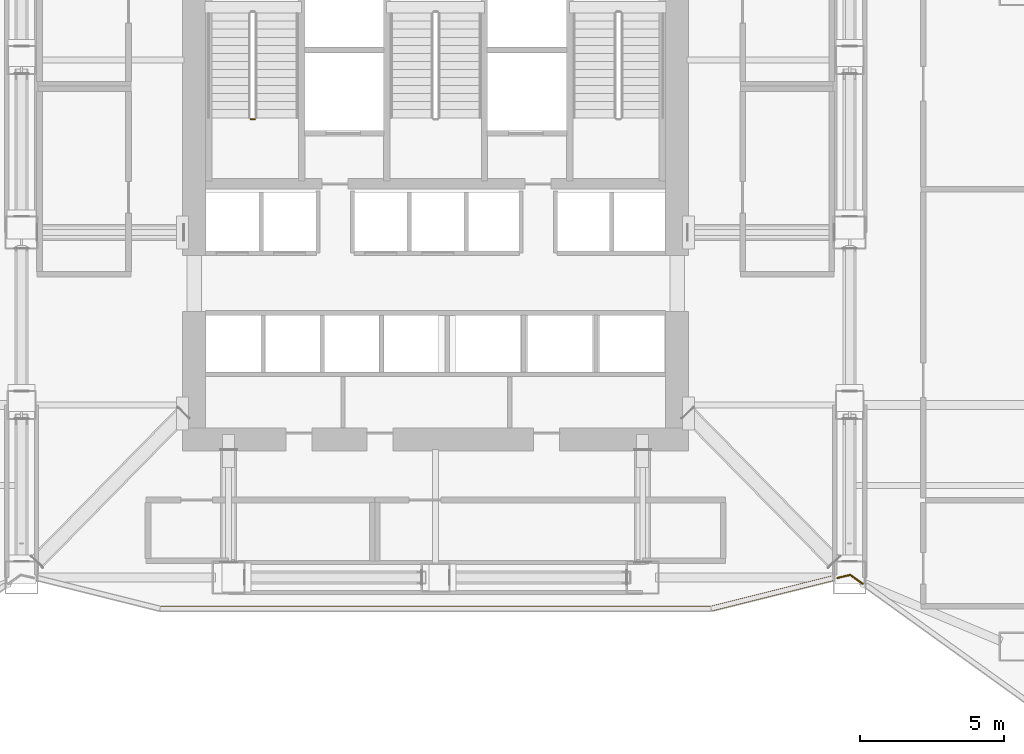
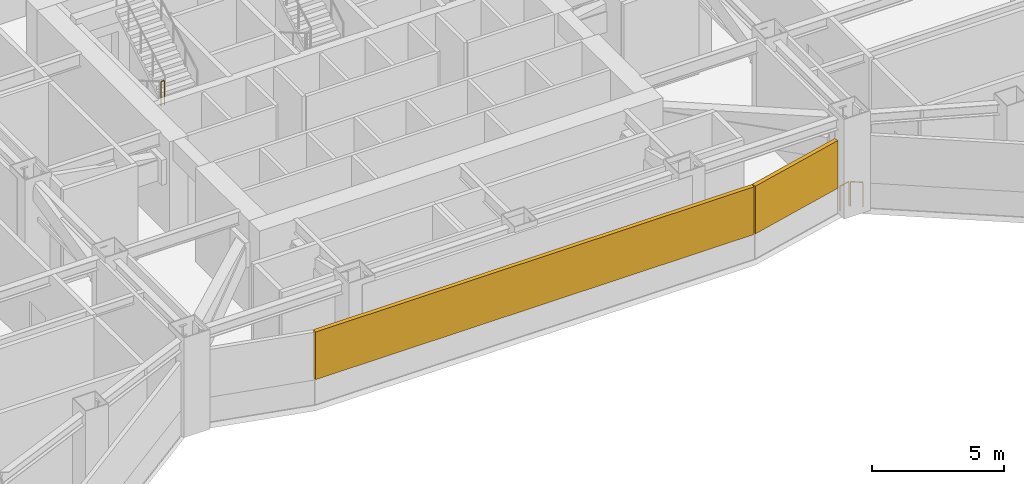
# One storey, part 18 of 23: 3 railings, 2 shading devices.
"""IFC4 building model written with IfcOpenShell, lengths in metres."""

import ifcopenshell
import ifcopenshell.guid

model = None  # the IFC model being written
_history = None  # IfcOwnerHistory: only IFC2X3 demands one
_inside = {}  # id of a spatial element -> (the spatial element, [elements in it])
_under = {}  # id of a project, library or spatial element -> (it, [spatial elements below it])
_declared = {}  # id of a project -> (the project, [libraries it declares])
_typed = {}  # id of a type object -> (the type object, [elements of that type])
_made_of = {}  # id of a material, layer set ... -> (it, [elements and type objects made of it])


def new_model(schema):
    """Start an empty IFC model of exactly this schema.

    Asked for "IFC4X3", IfcOpenShell would pick the latest addendum, in which some entities
    have other attributes; the version numbers below select the first issue.
    IFC2X3 requires an IfcOwnerHistory on every rooted entity: one is made here for all.
    """
    global model, _history
    if schema == "IFC4X3":
        model = ifcopenshell.file(schema_version=(4, 3, 0, 0))
    else:
        model = ifcopenshell.file(schema=schema)
    _inside.clear()
    _under.clear()
    _declared.clear()
    _typed.clear()
    _made_of.clear()
    _history = None
    if model.schema == "IFC2X3":
        org = make("IfcOrganization", Name="unknown")
        user = make(
            "IfcPersonAndOrganization",
            ThePerson=make("IfcPerson", FamilyName="unknown"),
            TheOrganization=org,
        )
        app = make(
            "IfcApplication",
            ApplicationDeveloper=org,
            Version="unknown",
            ApplicationFullName="unknown",
            ApplicationIdentifier="unknown",
        )
        _history = make(
            "IfcOwnerHistory",
            OwningUser=user,
            OwningApplication=app,
            ChangeAction="ADDED",
            CreationDate=0,
        )
    return model


def make(cls, **values):
    """One entity of the class cls with the attributes given. An attribute that is None is left unset."""
    return model.create_entity(
        cls, **{name: value for name, value in values.items() if value is not None}
    )


def rooted(cls, **values):
    """An entity with a GlobalId (a new one), such as an element, a storey or a relation."""
    return make(cls, GlobalId=ifcopenshell.guid.new(), OwnerHistory=_history, **values)


def si_unit(unit_type, name, prefix=None):
    """IfcSIUnit, for example si_unit("LENGTHUNIT", "METRE", prefix="MILLI")."""
    return make("IfcSIUnit", UnitType=unit_type, Prefix=prefix, Name=name)


def assignment(units):
    """IfcUnitAssignment: the units of a project."""
    return None if units is None else make("IfcUnitAssignment", Units=units)


def point(xyz):
    """IfcCartesianPoint."""
    return None if xyz is None else make("IfcCartesianPoint", Coordinates=xyz)


def direction(xyz):
    """IfcDirection."""
    return None if xyz is None else make("IfcDirection", DirectionRatios=xyz)


def frame(location, z_axis=None, x_axis=None):
    """IfcAxis2Placement3D, a coordinate frame: its origin and axes. An axis left out is left unset."""
    return make(
        "IfcAxis2Placement3D",
        Location=point(location),
        Axis=direction(z_axis),
        RefDirection=direction(x_axis),
    )


def frame_2d(location, x_axis=None):
    """IfcAxis2Placement2D, a coordinate frame in the plane: its origin and x axis."""
    return make(
        "IfcAxis2Placement2D", Location=point(location), RefDirection=direction(x_axis)
    )


def origin():
    """The frame at (0, 0, 0) with its axes left unset."""
    return frame((0.0, 0.0, 0.0))


def origin_2d():
    """The frame at (0, 0) in the plane with its x axis left unset."""
    return frame_2d((0.0, 0.0))


def place(relative_to, where):
    """IfcLocalPlacement: puts the frame where relative to a parent placement (None: the world)."""
    return make(
        "IfcLocalPlacement", PlacementRelTo=relative_to, RelativePlacement=where
    )


def context(
    kind, dimensions, precision=None, world=None, true_north=None, identifier=None
):
    """IfcGeometricRepresentationContext, for example the 3D "Model" context."""
    return make(
        "IfcGeometricRepresentationContext",
        ContextIdentifier=identifier,
        ContextType=kind,
        CoordinateSpaceDimension=dimensions,
        Precision=precision,
        WorldCoordinateSystem=world,
        TrueNorth=true_north,
    )


def subcontext(parent, identifier, kind, view, scale=None):
    """IfcGeometricRepresentationSubContext, for example "Body" below "Model"."""
    return make(
        "IfcGeometricRepresentationSubContext",
        ContextIdentifier=identifier,
        ContextType=kind,
        ParentContext=parent,
        TargetScale=scale,
        TargetView=view,
    )


def project(units=None, contexts=None):
    """IfcProject with its units and contexts."""
    return rooted(
        "IfcProject",
        Name="project",
        RepresentationContexts=contexts,
        UnitsInContext=assignment(units),
    )


def spatial(cls, under=None, at=None, **own):
    """A site, building, storey or space (cls), placed at a placement, below another one or the project."""
    s = rooted(cls, ObjectPlacement=at, **own)
    if under is not None:
        _under.setdefault(under.id(), (under, []))[1].append(s)
    return s


def profile(cls, at=None, kind="AREA", **sizes):
    """A parametric profile (cls). Its sizes go by their IFC names, for example OverallWidth=200.0."""
    return make(cls, ProfileType=kind, Position=at, **sizes)


def rectangle(**sizes):
    """IfcRectangleProfileDef."""
    return profile("IfcRectangleProfileDef", **sizes)


def circle(**sizes):
    """IfcCircleProfileDef."""
    return profile("IfcCircleProfileDef", **sizes)


def extrude(swept, where, along, depth):
    """IfcExtrudedAreaSolid: the profile swept, set in the frame where, extruded along a direction by depth."""
    return make(
        "IfcExtrudedAreaSolid",
        SweptArea=swept,
        Position=where,
        ExtrudedDirection=direction(along),
        Depth=depth,
    )


def shape(context_of_items, identifier, shape_type, items):
    """IfcShapeRepresentation: the items that make up one representation, for example the "Body"."""
    return make(
        "IfcShapeRepresentation",
        ContextOfItems=context_of_items,
        RepresentationIdentifier=identifier,
        RepresentationType=shape_type,
        Items=items,
    )


def material(Name=None, Category=None):
    """IfcMaterial."""
    return make("IfcMaterial", Name=Name, Category=Category)


def made_of(thing, what):
    """Note that an element or type object is made of a material, layer set ...; save() writes the relation."""
    if what is not None:
        _made_of.setdefault(what.id(), (what, []))[1].append(thing)
    return thing


def type_object(cls, material=None, **own):
    """A type object (cls), such as IfcWallType, which elements share."""
    return made_of(rooted(cls, **own), material)


def element(
    cls,
    number,
    at=None,
    inside=None,
    cuts=None,
    type_object=None,
    material=None,
    context=None,
    identifier="Body",
    shape_type=None,
    held_by="IfcProductDefinitionShape",
    body=None,
    shapes=None,
    **own,
):
    """One element of the class cls, such as IfcWall. Its Tag is "e" and its number.

    at: its placement. inside: the storey or other place that contains it. cuts: it is an
    opening in that element (IfcRelVoidsElement). A single representation is given by context,
    identifier, shape_type and body (its items); several are given by shapes. held_by: the class
    of the entity that holds the representations. save() writes the other relations.
    """
    e = rooted(cls, Tag="e%d" % number, ObjectPlacement=at, **own)
    if body is not None:
        shapes = [shape(context, identifier, shape_type, body)]
    if shapes is not None:
        e.Representation = make(held_by, Representations=shapes)
    if inside is not None:
        _inside.setdefault(inside.id(), (inside, []))[1].append(e)
    if cuts is not None:
        rooted(
            "IfcRelVoidsElement", RelatingBuildingElement=cuts, RelatedOpeningElement=e
        )
    if type_object is not None:
        _typed.setdefault(type_object.id(), (type_object, []))[1].append(e)
    return made_of(e, material)


def aggregate(whole, parts):
    """IfcRelAggregates: a whole, such as a stair, and the parts it consists of."""
    return rooted("IfcRelAggregates", RelatingObject=whole, RelatedObjects=parts)


def save(model, path):
    """Write the relations noted so far, then the file.

    IfcRelAggregates (storeys below a building ...), IfcRelContainedInSpatialStructure (elements
    in a storey), IfcRelDefinesByType, IfcRelAssociatesMaterial and IfcRelDeclares: one each for
    every whole, place, type object, material and project.
    """
    for whole, parts in _under.values():
        aggregate(whole, parts)
    for where, things in _inside.values():
        rooted(
            "IfcRelContainedInSpatialStructure",
            RelatedElements=things,
            RelatingStructure=where,
        )
    for kind, things in _typed.values():
        rooted("IfcRelDefinesByType", RelatedObjects=things, RelatingType=kind)
    for what, things in _made_of.values():
        rooted("IfcRelAssociatesMaterial", RelatedObjects=things, RelatingMaterial=what)
    for by, libraries in _declared.values():
        rooted("IfcRelDeclares", RelatingContext=by, RelatedDefinitions=libraries)
    model.write(path)


model = new_model("IFC4")

# Units and contexts
model_context = context("Model", 3, precision=1e-05, world=origin(), true_north=direction((0.0, 1.0)))
body_context = subcontext(model_context, "Body", "Model", "MODEL_VIEW")
ifc_project = project(units=[si_unit("LENGTHUNIT", "METRE"), si_unit("AREAUNIT", "SQUARE_METRE"), si_unit("VOLUMEUNIT", "CUBIC_METRE"), si_unit("PLANEANGLEUNIT", "RADIAN"), si_unit("MASSUNIT", "GRAM", prefix="KILO")], contexts=[model_context])

# Site, building, storey
site_placement = place(None, origin())
site = spatial("IfcSite", under=ifc_project, at=site_placement, CompositionType="ELEMENT")
building_placement = place(site_placement, origin())
building = spatial("IfcBuilding", under=site, at=building_placement, Name="Haolan Belvedere Tower", CompositionType="ELEMENT")
storey_placement = place(building_placement, frame((0.0, 0.0, 89.39990234375)))
storey = spatial("IfcBuildingStorey", under=building, at=storey_placement, Name="L22", CompositionType="ELEMENT", Elevation=89.39990234375)

# Railings
ifc_material_1 = material(Name="Galvanised powder-coated steel guardrail", Category="steel")
railing_type_1 = type_object("IfcRailingType", Name="RL-REF-GRD-1150", PredefinedType="GUARDRAIL", material=ifc_material_1)
railing_1_placement = place(storey_placement, frame((53.25830078125, 21.380859375, 0.0)))
element("IfcRailing", 1, at=railing_1_placement, inside=storey, type_object=railing_type_1, Name="L22 refuge corner safety guardrail 4A", PredefinedType="GUARDRAIL", context=body_context, shape_type="SweptSolid", body=[
    extrude(circle(Radius=0.02392578125, at=origin_2d()), frame((0.0, 0.0, 1.1259765625), z_axis=(-0.811445651793, 0.584427886215, 0.0), x_axis=(-0.584427886215, -0.811445651793, 0.0)), (0.0, 0.0, 1.0), 0.469970703125),
    extrude(circle(Radius=0.02099609375, at=origin_2d()), origin(), (0.0, 0.0, 1.0), 1.101806640625),
    extrude(circle(Radius=0.02099609375, at=origin_2d()), frame((-0.38134765625, 0.274658203125, 0.0)), (0.0, 0.0, 1.0), 1.101806640625),
])
railing_2_placement = place(storey_placement, frame((52.828125, 21.690673828125, 0.0)))
element("IfcRailing", 2, at=railing_2_placement, inside=storey, type_object=railing_type_1, Name="L22 refuge corner safety guardrail 4B", PredefinedType="GUARDRAIL", context=body_context, shape_type="SweptSolid", body=[
    extrude(circle(Radius=0.02392578125, at=origin_2d()), frame((0.0, 0.0, 1.1259765625), z_axis=(-0.974532291101, -0.224247215372, 0.0), x_axis=(0.224247215372, -0.974532291101, 0.0)), (0.0, 0.0, 1.0), 0.466064453125),
    extrude(circle(Radius=0.02099609375, at=origin_2d()), origin(), (0.0, 0.0, 1.0), 1.101806640625),
    extrude(circle(Radius=0.02099609375, at=origin_2d()), frame((-0.4541015625, -0.1044921875, 0.0)), (0.0, 0.0, 1.0), 1.101806640625),
])
ifc_material_2 = material(Name="Brushed stainless steel 304", Category="steel")
railing_type_2 = type_object("IfcRailingType", Name="RL-STAIR-GRD-1150", PredefinedType="GUARDRAIL", material=ifc_material_2)
railing_3_placement = place(storey_placement, frame((31.969970703125, 37.5400390625, 2.300048828125)))
element("IfcRailing", 3, at=railing_3_placement, inside=storey, type_object=railing_type_2, Name="L22 ST1 stair guard 2", PredefinedType="GUARDRAIL", context=body_context, shape_type="SweptSolid", body=[
    extrude(circle(Radius=0.02392578125, at=origin_2d()), frame((0.0, 0.0, 1.1259765625), z_axis=(1.0, 0.0, 0.0), x_axis=(0.0, 1.0, 0.0)), (0.0, 0.0, 1.0), 0.14013671875),
    extrude(circle(Radius=0.02099609375, at=origin_2d()), origin(), (0.0, 0.0, 1.0), 1.101806640625),
    extrude(circle(Radius=0.02099609375, at=origin_2d()), frame((0.14013671875, 0.0, 0.0)), (0.0, 0.0, 1.0), 1.101806640625),
])

# Shading devices
ifc_material_3 = material(Name="Anodised champagne-silver aluminium 6063-T6", Category="aluminium")
shading_device_type = type_object("IfcShadingDeviceType", Name="SHD-LOUV-180", PredefinedType="JALOUSIE", material=ifc_material_3)
shading_device_1_placement = place(storey_placement, frame((38.39990234375, 20.52001953125, 1.14990234375), z_axis=(0.0, 0.0, 1.0), x_axis=(1.0, 0.0, 0.0)))
element("IfcShadingDevice", 4, at=shading_device_1_placement, inside=storey, type_object=shading_device_type, Name="L22 refuge storm-proof louvre bank 13.1", PredefinedType="JALOUSIE", context=body_context, shape_type="SweptSolid", body=[
    extrude(rectangle(XDim=19.13037109375, YDim=0.179931640625, at=origin_2d()), origin(), (0.0, 0.0, 1.0), 2.199951171875),
])
shading_device_2_placement = place(storey_placement, frame((50.109130859375, 21.051025390625, 1.14990234375), z_axis=(0.0, 0.0, 1.0), x_axis=(0.970143530747, 0.242531502591, 0.0)))
element("IfcShadingDevice", 5, at=shading_device_2_placement, inside=storey, type_object=shading_device_type, Name="L22 refuge storm-proof louvre bank 14.1", PredefinedType="JALOUSIE", context=body_context, shape_type="SweptSolid", body=[
    extrude(rectangle(XDim=4.33837890625, YDim=0.179931640625, at=origin_2d()), origin(), (0.0, 0.0, 1.0), 2.199951171875),
])

save(model, "model.ifc")
